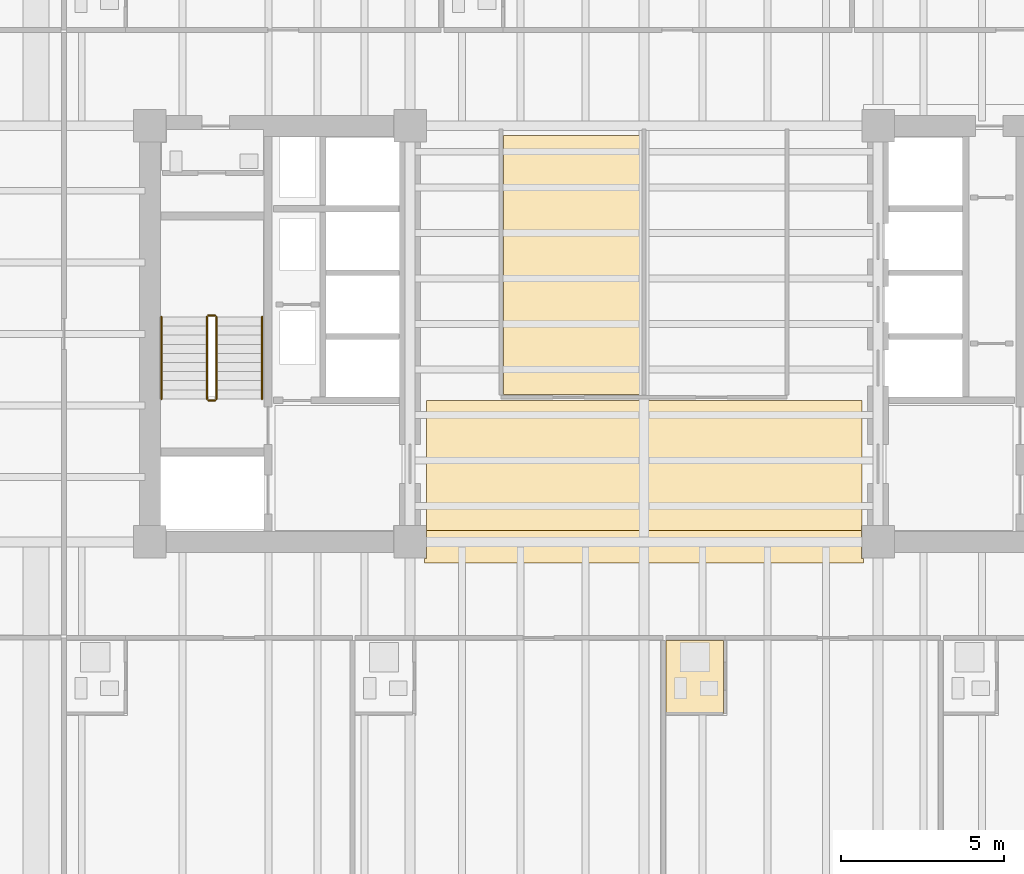
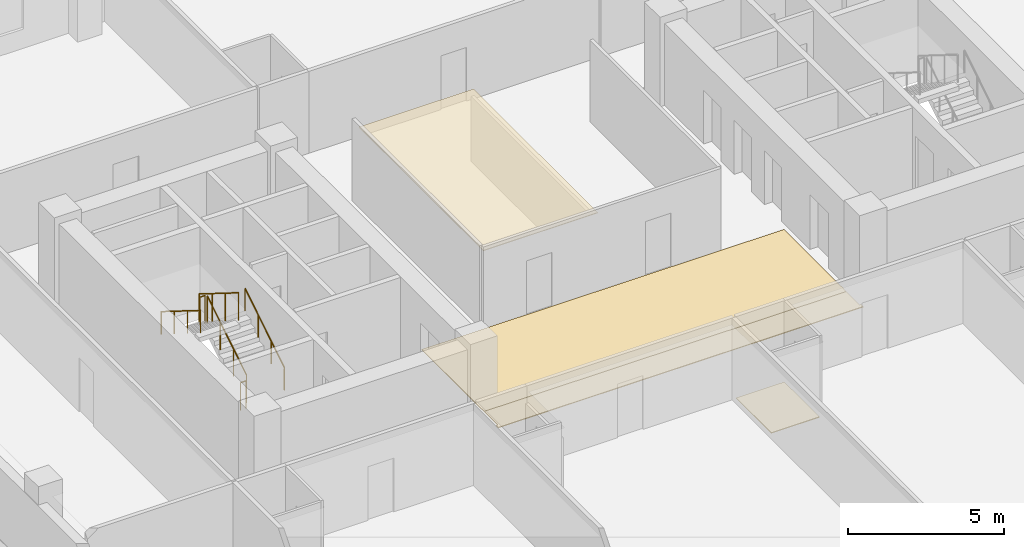
# One storey, part 8 of 11: 6 railings, 4 coverings.
"""IFC4 building model written with IfcOpenShell, lengths in metres."""

from ifc_helpers import new_model, si_unit, direction, frame, origin, origin_2d, place, context, subcontext, project, spatial, polyline, circle, outline, extrude, material, layer, layer_set, type_object, element, save


model = new_model("IFC4")

# Units and contexts
model_context = context("Model", 3, precision=1e-05, world=origin(), true_north=direction((0.0, 1.0)))
body_context = subcontext(model_context, "Body", "Model", "MODEL_VIEW")
ifc_project = project(units=[si_unit("LENGTHUNIT", "METRE"), si_unit("AREAUNIT", "SQUARE_METRE"), si_unit("VOLUMEUNIT", "CUBIC_METRE"), si_unit("PLANEANGLEUNIT", "RADIAN"), si_unit("MASSUNIT", "GRAM", prefix="KILO")], contexts=[model_context])

# Site, building, storey
site_placement = place(None, origin())
site = spatial("IfcSite", under=ifc_project, at=site_placement, CompositionType="ELEMENT")
building_placement = place(site_placement, origin())
building = spatial("IfcBuilding", under=site, at=building_placement, Name="Kranthara Brick Stack", CompositionType="ELEMENT")
storey_placement = place(building_placement, frame((0.0, 0.0, 120.300048828125)))
storey = spatial("IfcBuildingStorey", under=building, at=storey_placement, Name="L29", CompositionType="ELEMENT", Elevation=120.300048828125)

# Coverings
ifc_material_1 = material(Name="Perforated mineral-fibre acoustic ceiling tile", Category="other")
ifc_layer_1 = layer(ifc_material_1, 0.02490234375)
ifc_layer_set_1 = layer_set([ifc_layer_1], Name="Perforated mineral-fibre acoustic ceiling tile")
covering_type_1 = type_object("IfcCoveringType", Name="COV-CEIL-ACOUSTIC", PredefinedType="CEILING", material=ifc_layer_set_1)
covering_1_placement = place(storey_placement, frame((0.0, 0.0, 2.929931640625)))
element("IfcCovering", 1, at=covering_1_placement, inside=storey, type_object=covering_type_1, Name="L29 L29 Hotel Executive Business Study Acoustic Ceiling", PredefinedType="CEILING", context=body_context, shape_type="SweptSolid", body=[
    extrude(outline(polyline([(27.919921875, 25.330078125), (27.919921875, 33.300048828125), (23.679931640625, 33.300048828125), (23.679931640625, 25.330078125), (27.919921875, 25.330078125)])), origin(), (0.0, 0.0, 1.0), 0.02490234375),
])
ifc_material_2 = material(Name="Honed terrazzo and porcelain floor finish", Category="stone")
ifc_layer_2 = layer(ifc_material_2, 0.030029296875)
ifc_layer_set_2 = layer_set([ifc_layer_2], Name="Honed terrazzo and porcelain floor finish")
covering_type_2 = type_object("IfcCoveringType", Name="COV-FLOR-STONE", PredefinedType="FLOORING", material=ifc_layer_set_2)
covering_2_placement = place(storey_placement, origin())
element("IfcCovering", 2, at=covering_2_placement, inside=storey, type_object=covering_type_2, Name="L29 Lift Lobby Stone Flooring", PredefinedType="FLOORING", context=body_context, shape_type="SweptSolid", body=[
    extrude(outline(polyline([(34.699951171875, 25.14990234375), (34.699951171875, 21.31005859375), (34.68994140625, 21.31005859375), (34.68994140625, 21.14990234375), (21.31005859375, 21.14990234375), (21.31005859375, 21.31005859375), (21.300048828125, 21.31005859375), (21.300048828125, 25.14990234375), (34.699951171875, 25.14990234375)])), origin(), (0.0, 0.0, 1.0), 0.030029296875),
])
covering_3_placement = place(storey_placement, origin())
element("IfcCovering", 3, at=covering_3_placement, inside=storey, type_object=covering_type_2, Name="L29 Lift Lobby Stone Flooring", PredefinedType="FLOORING", context=body_context, shape_type="SweptSolid", body=[
    extrude(outline(polyline([(21.25, 20.2900390625), (21.31005859375, 20.2900390625), (21.31005859375, 21.14990234375), (34.68994140625, 21.14990234375), (34.68994140625, 20.2900390625), (34.75, 20.2900390625), (34.75, 20.14990234375), (21.25, 20.14990234375), (21.25, 20.2900390625)])), origin(), (0.0, 0.0, 1.0), 0.030029296875),
])
covering_4_placement = place(storey_placement, origin())
element("IfcCovering", 4, at=covering_4_placement, inside=storey, type_object=covering_type_2, Name="L29 Wet Room Porcelain Flooring", PredefinedType="FLOORING", context=body_context, shape_type="SweptSolid", body=[
    extrude(outline(polyline([(28.6708984375, 15.52001953125), (28.6708984375, 17.77001953125), (30.450927734375, 17.77001953125), (30.450927734375, 15.52001953125), (28.6708984375, 15.52001953125)])), origin(), (0.0, 0.0, 1.0), 0.030029296875),
])

# Railings
ifc_material_3 = material(Name="Painted galvanized steel stair guardrail", Category="steel")
railing_type_1 = type_object("IfcRailingType", Name="RL-STAIR-GUARD-1100", PredefinedType="GUARDRAIL", material=ifc_material_3)
railing_1_placement = place(storey_placement, frame((14.85009765625, 25.199951171875, 0.175048828125)))
element("IfcRailing", 5, at=railing_1_placement, inside=storey, type_object=railing_type_1, Name="L29 ST01 stair guard 1", PredefinedType="GUARDRAIL", context=body_context, shape_type="SweptSolid", body=[
    extrude(circle(Radius=0.02392578125, at=origin_2d()), frame((0.0, 0.0, 1.076171875), z_axis=(0.0, 0.848007534815, 0.529984170421), x_axis=(-1.0, 0.0, 0.0)), (0.0, 0.0, 1.0), 2.9716796875),
    extrude(circle(Radius=0.02099609375, at=origin_2d()), origin(), (0.0, 0.0, 1.0), 1.052001953125),
    extrude(circle(Radius=0.02099609375, at=origin_2d()), frame((0.0, 0.840087890625, 0.52490234375)), (0.0, 0.0, 1.0), 1.052001953125),
    extrude(circle(Radius=0.02099609375, at=origin_2d()), frame((0.0, 1.679931640625, 1.050048828125)), (0.0, 0.0, 1.0), 1.052001953125),
    extrude(circle(Radius=0.02099609375, at=origin_2d()), frame((0.0, 2.52001953125, 1.574951171875)), (0.0, 0.0, 1.0), 1.052001953125),
])
railing_2_placement = place(storey_placement, frame((14.800048828125, 27.77001953125, 1.75)))
element("IfcRailing", 6, at=railing_2_placement, inside=storey, type_object=railing_type_1, Name="L29 ST01 stair guard 2", PredefinedType="GUARDRAIL", context=body_context, shape_type="SweptSolid", body=[
    extrude(circle(Radius=0.02392578125, at=origin_2d()), frame((0.0, 0.0, 1.076171875), z_axis=(-1.0, 0.0, 0.0), x_axis=(0.0, -1.0, 0.0)), (0.0, 0.0, 1.0), 0.199951171875),
    extrude(circle(Radius=0.02099609375, at=origin_2d()), origin(), (0.0, 0.0, 1.0), 1.052001953125),
    extrude(circle(Radius=0.02099609375, at=origin_2d()), frame((-0.199951171875, 0.0, 0.0)), (0.0, 0.0, 1.0), 1.052001953125),
])
railing_3_placement = place(storey_placement, frame((14.550048828125, 27.719970703125, 1.925048828125)))
element("IfcRailing", 7, at=railing_3_placement, inside=storey, type_object=railing_type_1, Name="L29 ST01 stair guard 3", PredefinedType="GUARDRAIL", context=body_context, shape_type="SweptSolid", body=[
    extrude(circle(Radius=0.02392578125, at=origin_2d()), frame((0.0, 0.0, 1.076171875), z_axis=(0.0, -0.848007534815, 0.529984170421), x_axis=(1.0, 0.0, 0.0)), (0.0, 0.0, 1.0), 2.9716796875),
    extrude(circle(Radius=0.02099609375, at=origin_2d()), origin(), (0.0, 0.0, 1.0), 1.052001953125),
    extrude(circle(Radius=0.02099609375, at=origin_2d()), frame((0.0, -0.840087890625, 0.52490234375)), (0.0, 0.0, 1.0), 1.052001953125),
    extrude(circle(Radius=0.02099609375, at=origin_2d()), frame((0.0, -1.679931640625, 1.050048828125)), (0.0, 0.0, 1.0), 1.052001953125),
    extrude(circle(Radius=0.02099609375, at=origin_2d()), frame((0.0, -2.52001953125, 1.574951171875)), (0.0, 0.0, 1.0), 1.052001953125),
])
railing_4_placement = place(storey_placement, frame((14.800048828125, 25.14990234375, 0.0)))
element("IfcRailing", 8, at=railing_4_placement, inside=storey, type_object=railing_type_1, Name="L29 ST01 stair guard 4", PredefinedType="GUARDRAIL", context=body_context, shape_type="SweptSolid", body=[
    extrude(circle(Radius=0.02392578125, at=origin_2d()), frame((0.0, 0.0, 1.076171875), z_axis=(-1.0, 0.0, 0.0), x_axis=(0.0, -1.0, 0.0)), (0.0, 0.0, 1.0), 0.199951171875),
    extrude(circle(Radius=0.02099609375, at=origin_2d()), origin(), (0.0, 0.0, 1.0), 1.052001953125),
    extrude(circle(Radius=0.02099609375, at=origin_2d()), frame((-0.199951171875, 0.0, 0.0)), (0.0, 0.0, 1.0), 1.052001953125),
])
ifc_material_4 = material(Name="Brushed stainless steel tubular handrail", Category="steel")
railing_type_2 = type_object("IfcRailingType", Name="RL-STAIR-HAND-900", PredefinedType="HANDRAIL", material=ifc_material_4)
railing_5_placement = place(storey_placement, frame((16.25, 25.199951171875, 0.175048828125)))
element("IfcRailing", 9, at=railing_5_placement, inside=storey, type_object=railing_type_2, Name="L29 ST01 stair handrail 1", PredefinedType="HANDRAIL", context=body_context, shape_type="SweptSolid", body=[
    extrude(circle(Radius=0.02392578125, at=origin_2d()), frame((0.0, 0.0, 0.8759765625), z_axis=(0.0, 0.848007534815, 0.529984170421), x_axis=(-1.0, 0.0, 0.0)), (0.0, 0.0, 1.0), 2.9716796875),
    extrude(circle(Radius=0.02099609375, at=origin_2d()), origin(), (0.0, 0.0, 1.0), 0.851806640625),
    extrude(circle(Radius=0.02099609375, at=origin_2d()), frame((0.0, 0.840087890625, 0.52490234375)), (0.0, 0.0, 1.0), 0.851806640625),
    extrude(circle(Radius=0.02099609375, at=origin_2d()), frame((0.0, 1.679931640625, 1.050048828125)), (0.0, 0.0, 1.0), 0.851806640625),
    extrude(circle(Radius=0.02099609375, at=origin_2d()), frame((0.0, 2.52001953125, 1.574951171875)), (0.0, 0.0, 1.0), 0.851806640625),
])
railing_6_placement = place(storey_placement, frame((13.14990234375, 27.719970703125, 1.925048828125)))
element("IfcRailing", 10, at=railing_6_placement, inside=storey, type_object=railing_type_2, Name="L29 ST01 stair handrail 2", PredefinedType="HANDRAIL", context=body_context, shape_type="SweptSolid", body=[
    extrude(circle(Radius=0.02392578125, at=origin_2d()), frame((0.0, 0.0, 0.8759765625), z_axis=(0.0, -0.848007534815, 0.529984170421), x_axis=(1.0, 0.0, 0.0)), (0.0, 0.0, 1.0), 2.9716796875),
    extrude(circle(Radius=0.02099609375, at=origin_2d()), origin(), (0.0, 0.0, 1.0), 0.851806640625),
    extrude(circle(Radius=0.02099609375, at=origin_2d()), frame((0.0, -0.840087890625, 0.52490234375)), (0.0, 0.0, 1.0), 0.851806640625),
    extrude(circle(Radius=0.02099609375, at=origin_2d()), frame((0.0, -1.679931640625, 1.050048828125)), (0.0, 0.0, 1.0), 0.851806640625),
    extrude(circle(Radius=0.02099609375, at=origin_2d()), frame((0.0, -2.52001953125, 1.574951171875)), (0.0, 0.0, 1.0), 0.851806640625),
])

save(model, "model.ifc")
